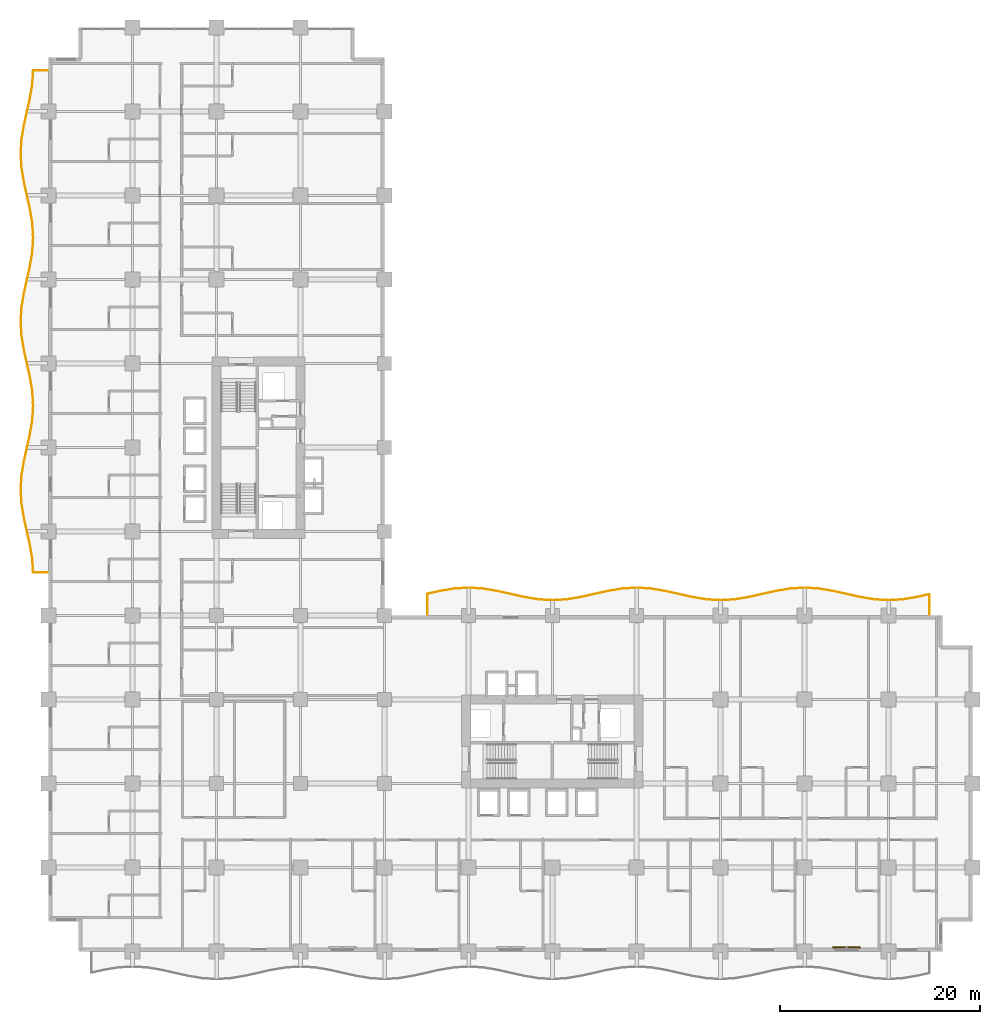
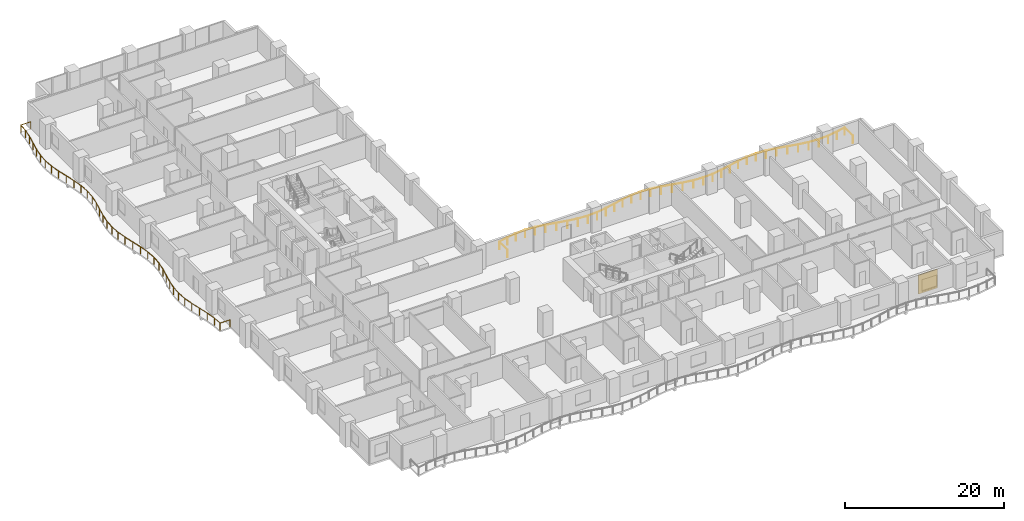
# One storey, part 23 of 23: 2 railings, 1 shading device.
"""IFC4 building model written with IfcOpenShell, lengths in metres."""

from ifc_helpers import new_model, si_unit, direction, frame, origin, origin_2d, place, context, subcontext, project, spatial, rectangle, circle, extrude, material, layer, layer_set, type_object, element, save


model = new_model("IFC4")

# Units and contexts
model_context = context("Model", 3, precision=1e-05, world=origin(), true_north=direction((0.0, 1.0)))
body_context = subcontext(model_context, "Body", "Model", "MODEL_VIEW")
ifc_project = project(units=[si_unit("LENGTHUNIT", "METRE"), si_unit("AREAUNIT", "SQUARE_METRE"), si_unit("VOLUMEUNIT", "CUBIC_METRE"), si_unit("PLANEANGLEUNIT", "RADIAN"), si_unit("MASSUNIT", "GRAM", prefix="KILO")], contexts=[model_context])

# Site, building, storey
site_placement = place(None, origin())
site = spatial("IfcSite", under=ifc_project, at=site_placement, CompositionType="ELEMENT")
building_placement = place(site_placement, origin())
building = spatial("IfcBuilding", under=site, at=building_placement, Name="Koriwani Terraces Tower", CompositionType="ELEMENT")
storey_placement = place(building_placement, frame((0.0, 0.0, 32.0)))
storey = spatial("IfcBuildingStorey", under=building, at=storey_placement, Name="L06", CompositionType="ELEMENT", Elevation=32.0)

# Railings
ifc_material_1 = material(Name="Steel ASTM A572 Grade 50", Category="steel")
railing_type = type_object("IfcRailingType", Name="GUARD_BALUSTRADE_1150", PredefinedType="BALUSTRADE", material=ifc_material_1)
railing_1_placement = place(storey_placement, frame((-0.080078125, 37.8798828125, 0.0)))
element("IfcRailing", 1, at=railing_1_placement, inside=storey, type_object=railing_type, Name="L06 Balcony Perimeter Safety Balustrade (W)", PredefinedType="BALUSTRADE", context=body_context, shape_type="SweptSolid", body=[
    extrude(circle(Radius=0.02392578125, at=origin_2d()), frame((0.0, 0.0, 1.1259765625), z_axis=(-1.0, 0.0, 0.0), x_axis=(0.0, -1.0, 0.0)), (0.0, 0.0, 1.0), 1.444580078125),
    extrude(circle(Radius=0.02392578125, at=origin_2d()), frame((-1.444580078125, 0.0, 1.1259765625), z_axis=(-0.059786303672, 0.998211199042, 0.0), x_axis=(-0.998211199042, -0.059786303672, 0.0)), (0.0, 0.0, 1.0), 1.331298828125),
    extrude(circle(Radius=0.02392578125, at=origin_2d()), frame((-1.524169921875, 1.328857421875, 1.1259765625), z_axis=(-0.161203411159, 0.986921202645, 0.0), x_axis=(-0.986921202645, -0.161203411159, 0.0)), (0.0, 0.0, 1.0), 1.425048828125),
    extrude(circle(Radius=0.02392578125, at=origin_2d()), frame((-1.75390625, 2.7353515625, 1.1259765625), z_axis=(-0.217849413893, 0.975982393728, 0.0), x_axis=(-0.975982393728, -0.217849413893, 0.0)), (0.0, 0.0, 1.0), 2.868896484375),
    extrude(circle(Radius=0.02392578125, at=origin_2d()), frame((-2.37890625, 5.535400390625, 1.1259765625), z_axis=(-0.16131405304, 0.986903124066, 0.0), x_axis=(-0.986903124066, -0.16131405304, 0.0)), (0.0, 0.0, 1.0), 1.412109375),
    extrude(circle(Radius=0.02392578125, at=origin_2d()), frame((-2.606689453125, 6.928955078125, 1.1259765625), z_axis=(-0.059738678687, 0.998214050326, 0.0), x_axis=(-0.998214050326, -0.059738678687, 0.0)), (0.0, 0.0, 1.0), 1.3935546875),
    extrude(circle(Radius=0.02392578125, at=origin_2d()), frame((-2.68994140625, 8.320068359375, 1.1259765625), z_axis=(0.059738678687, 0.998214050326, 0.0), x_axis=(-0.998214050326, 0.059738678687, 0.0)), (0.0, 0.0, 1.0), 1.3935546875),
    extrude(circle(Radius=0.02392578125, at=origin_2d()), frame((-2.606689453125, 9.711181640625, 1.1259765625), z_axis=(0.161286532042, 0.986907622111, 0.0), x_axis=(-0.986907622111, 0.161286532042, 0.0)), (0.0, 0.0, 1.0), 1.412353515625),
    extrude(circle(Radius=0.02392578125, at=origin_2d()), frame((-2.37890625, 11.10498046875, 1.1259765625), z_axis=(0.217849413893, 0.975982393728, 0.0), x_axis=(-0.975982393728, 0.217849413893, 0.0)), (0.0, 0.0, 1.0), 2.868896484375),
    extrude(circle(Radius=0.02392578125, at=origin_2d()), frame((-1.75390625, 13.905029296875, 1.1259765625), z_axis=(0.161230670401, 0.986916749742, 0.0), x_axis=(-0.986916749742, 0.161230670401, 0.0)), (0.0, 0.0, 1.0), 1.4248046875),
    extrude(circle(Radius=0.02392578125, at=origin_2d()), frame((-1.524169921875, 15.311279296875, 1.1259765625), z_axis=(0.059675127152, 0.998217851573, 0.0), x_axis=(-0.998217851573, 0.059675127152, 0.0)), (0.0, 0.0, 1.0), 1.411376953125),
    extrude(circle(Radius=0.02392578125, at=origin_2d()), frame((-1.43994140625, 16.72021484375, 1.1259765625), z_axis=(-0.059685432622, 0.998217235442, 0.0), x_axis=(-0.998217235442, -0.059685432622, 0.0)), (0.0, 0.0, 1.0), 1.4111328125),
    extrude(circle(Radius=0.02392578125, at=origin_2d()), frame((-1.524169921875, 18.12890625, 1.1259765625), z_axis=(-0.161203411159, 0.986921202645, 0.0), x_axis=(-0.986921202645, -0.161203411159, 0.0)), (0.0, 0.0, 1.0), 1.425048828125),
    extrude(circle(Radius=0.02392578125, at=origin_2d()), frame((-1.75390625, 19.535400390625, 1.1259765625), z_axis=(-0.217867508535, 0.97597835464, 0.0), x_axis=(-0.97597835464, -0.217867508535, 0.0)), (0.0, 0.0, 1.0), 2.86865234375),
    extrude(circle(Radius=0.02392578125, at=origin_2d()), frame((-2.37890625, 22.335205078125, 1.1259765625), z_axis=(-0.161286532042, 0.986907622111, 0.0), x_axis=(-0.986907622111, -0.161286532042, 0.0)), (0.0, 0.0, 1.0), 1.412353515625),
    extrude(circle(Radius=0.02392578125, at=origin_2d()), frame((-2.606689453125, 23.72900390625, 1.1259765625), z_axis=(-0.059738678687, 0.998214050326, 0.0), x_axis=(-0.998214050326, -0.059738678687, 0.0)), (0.0, 0.0, 1.0), 1.3935546875),
    extrude(circle(Radius=0.02392578125, at=origin_2d()), frame((-2.68994140625, 25.1201171875, 1.1259765625), z_axis=(0.059738678687, 0.998214050326, 0.0), x_axis=(-0.998214050326, 0.059738678687, 0.0)), (0.0, 0.0, 1.0), 1.3935546875),
    extrude(circle(Radius=0.02392578125, at=origin_2d()), frame((-2.606689453125, 26.51123046875, 1.1259765625), z_axis=(0.161286532042, 0.986907622111, 0.0), x_axis=(-0.986907622111, 0.161286532042, 0.0)), (0.0, 0.0, 1.0), 1.412353515625),
    extrude(circle(Radius=0.02392578125, at=origin_2d()), frame((-2.37890625, 27.905029296875, 1.1259765625), z_axis=(0.217867508535, 0.97597835464, 0.0), x_axis=(-0.97597835464, 0.217867508535, 0.0)), (0.0, 0.0, 1.0), 2.86865234375),
    extrude(circle(Radius=0.02392578125, at=origin_2d()), frame((-1.75390625, 30.704833984375, 1.1259765625), z_axis=(0.161203411159, 0.986921202645, 0.0), x_axis=(-0.986921202645, 0.161203411159, 0.0)), (0.0, 0.0, 1.0), 1.425048828125),
    extrude(circle(Radius=0.02392578125, at=origin_2d()), frame((-1.524169921875, 32.111328125, 1.1259765625), z_axis=(0.059685432622, 0.998217235442, 0.0), x_axis=(-0.998217235442, 0.059685432622, 0.0)), (0.0, 0.0, 1.0), 1.4111328125),
    extrude(circle(Radius=0.02392578125, at=origin_2d()), frame((-1.43994140625, 33.52001953125, 1.1259765625), z_axis=(-0.059675127152, 0.998217851573, 0.0), x_axis=(-0.998217851573, -0.059675127152, 0.0)), (0.0, 0.0, 1.0), 1.411376953125),
    extrude(circle(Radius=0.02392578125, at=origin_2d()), frame((-1.524169921875, 34.928955078125, 1.1259765625), z_axis=(-0.161230670401, 0.986916749742, 0.0), x_axis=(-0.986916749742, -0.161230670401, 0.0)), (0.0, 0.0, 1.0), 1.4248046875),
    extrude(circle(Radius=0.02392578125, at=origin_2d()), frame((-1.75390625, 36.335205078125, 1.1259765625), z_axis=(-0.217849413893, 0.975982393728, 0.0), x_axis=(-0.975982393728, -0.217849413893, 0.0)), (0.0, 0.0, 1.0), 2.868896484375),
    extrude(circle(Radius=0.02392578125, at=origin_2d()), frame((-2.37890625, 39.13525390625, 1.1259765625), z_axis=(-0.161286532042, 0.986907622111, 0.0), x_axis=(-0.986907622111, -0.161286532042, 0.0)), (0.0, 0.0, 1.0), 1.412353515625),
    extrude(circle(Radius=0.02392578125, at=origin_2d()), frame((-2.606689453125, 40.529052734375, 1.1259765625), z_axis=(-0.059738678687, 0.998214050326, 0.0), x_axis=(-0.998214050326, -0.059738678687, 0.0)), (0.0, 0.0, 1.0), 1.3935546875),
    extrude(circle(Radius=0.02392578125, at=origin_2d()), frame((-2.68994140625, 41.920166015625, 1.1259765625), z_axis=(0.059738678687, 0.998214050326, 0.0), x_axis=(-0.998214050326, 0.059738678687, 0.0)), (0.0, 0.0, 1.0), 1.3935546875),
    extrude(circle(Radius=0.02392578125, at=origin_2d()), frame((-2.606689453125, 43.311279296875, 1.1259765625), z_axis=(0.16131405304, 0.986903124066, 0.0), x_axis=(-0.986903124066, 0.16131405304, 0.0)), (0.0, 0.0, 1.0), 1.412109375),
    extrude(circle(Radius=0.02392578125, at=origin_2d()), frame((-2.37890625, 44.704833984375, 1.1259765625), z_axis=(0.217849413893, 0.975982393728, 0.0), x_axis=(-0.975982393728, 0.217849413893, 0.0)), (0.0, 0.0, 1.0), 2.868896484375),
    extrude(circle(Radius=0.02392578125, at=origin_2d()), frame((-1.75390625, 47.5048828125, 1.1259765625), z_axis=(0.161203411159, 0.986921202645, 0.0), x_axis=(-0.986921202645, 0.161203411159, 0.0)), (0.0, 0.0, 1.0), 1.425048828125),
    extrude(circle(Radius=0.02392578125, at=origin_2d()), frame((-1.524169921875, 48.911376953125, 1.1259765625), z_axis=(0.059786303672, 0.998211199042, 0.0), x_axis=(-0.998211199042, 0.059786303672, 0.0)), (0.0, 0.0, 1.0), 1.331298828125),
    extrude(circle(Radius=0.02392578125, at=origin_2d()), frame((-1.444580078125, 50.240234375, 1.1259765625), z_axis=(1.0, 0.0, 0.0), x_axis=(0.0, 1.0, 0.0)), (0.0, 0.0, 1.0), 1.444580078125),
    extrude(circle(Radius=0.02099609375, at=origin_2d()), origin(), (0.0, 0.0, 1.0), 1.101806640625),
    extrude(circle(Radius=0.02099609375, at=origin_2d()), frame((-1.444580078125, 0.0, 0.0)), (0.0, 0.0, 1.0), 1.101806640625),
    extrude(circle(Radius=0.02099609375, at=origin_2d()), frame((-1.524169921875, 1.328857421875, 0.0)), (0.0, 0.0, 1.0), 1.101806640625),
    extrude(circle(Radius=0.02099609375, at=origin_2d()), frame((-1.75390625, 2.7353515625, 0.0)), (0.0, 0.0, 1.0), 1.101806640625),
    extrude(circle(Radius=0.02099609375, at=origin_2d()), frame((-2.06640625, 4.13525390625, 0.0)), (0.0, 0.0, 1.0), 1.101806640625),
    extrude(circle(Radius=0.02099609375, at=origin_2d()), frame((-2.37890625, 5.535400390625, 0.0)), (0.0, 0.0, 1.0), 1.101806640625),
    extrude(circle(Radius=0.02099609375, at=origin_2d()), frame((-2.606689453125, 6.928955078125, 0.0)), (0.0, 0.0, 1.0), 1.101806640625),
    extrude(circle(Radius=0.02099609375, at=origin_2d()), frame((-2.68994140625, 8.320068359375, 0.0)), (0.0, 0.0, 1.0), 1.101806640625),
    extrude(circle(Radius=0.02099609375, at=origin_2d()), frame((-2.606689453125, 9.711181640625, 0.0)), (0.0, 0.0, 1.0), 1.101806640625),
    extrude(circle(Radius=0.02099609375, at=origin_2d()), frame((-2.37890625, 11.10498046875, 0.0)), (0.0, 0.0, 1.0), 1.101806640625),
    extrude(circle(Radius=0.02099609375, at=origin_2d()), frame((-2.06640625, 12.5048828125, 0.0)), (0.0, 0.0, 1.0), 1.101806640625),
    extrude(circle(Radius=0.02099609375, at=origin_2d()), frame((-1.75390625, 13.905029296875, 0.0)), (0.0, 0.0, 1.0), 1.101806640625),
    extrude(circle(Radius=0.02099609375, at=origin_2d()), frame((-1.524169921875, 15.311279296875, 0.0)), (0.0, 0.0, 1.0), 1.101806640625),
    extrude(circle(Radius=0.02099609375, at=origin_2d()), frame((-1.43994140625, 16.72021484375, 0.0)), (0.0, 0.0, 1.0), 1.101806640625),
    extrude(circle(Radius=0.02099609375, at=origin_2d()), frame((-1.524169921875, 18.12890625, 0.0)), (0.0, 0.0, 1.0), 1.101806640625),
    extrude(circle(Radius=0.02099609375, at=origin_2d()), frame((-1.75390625, 19.535400390625, 0.0)), (0.0, 0.0, 1.0), 1.101806640625),
    extrude(circle(Radius=0.02099609375, at=origin_2d()), frame((-2.06640625, 20.935302734375, 0.0)), (0.0, 0.0, 1.0), 1.101806640625),
    extrude(circle(Radius=0.02099609375, at=origin_2d()), frame((-2.37890625, 22.335205078125, 0.0)), (0.0, 0.0, 1.0), 1.101806640625),
    extrude(circle(Radius=0.02099609375, at=origin_2d()), frame((-2.606689453125, 23.72900390625, 0.0)), (0.0, 0.0, 1.0), 1.101806640625),
    extrude(circle(Radius=0.02099609375, at=origin_2d()), frame((-2.68994140625, 25.1201171875, 0.0)), (0.0, 0.0, 1.0), 1.101806640625),
    extrude(circle(Radius=0.02099609375, at=origin_2d()), frame((-2.606689453125, 26.51123046875, 0.0)), (0.0, 0.0, 1.0), 1.101806640625),
    extrude(circle(Radius=0.02099609375, at=origin_2d()), frame((-2.37890625, 27.905029296875, 0.0)), (0.0, 0.0, 1.0), 1.101806640625),
    extrude(circle(Radius=0.02099609375, at=origin_2d()), frame((-2.06640625, 29.304931640625, 0.0)), (0.0, 0.0, 1.0), 1.101806640625),
    extrude(circle(Radius=0.02099609375, at=origin_2d()), frame((-1.75390625, 30.704833984375, 0.0)), (0.0, 0.0, 1.0), 1.101806640625),
    extrude(circle(Radius=0.02099609375, at=origin_2d()), frame((-1.524169921875, 32.111328125, 0.0)), (0.0, 0.0, 1.0), 1.101806640625),
    extrude(circle(Radius=0.02099609375, at=origin_2d()), frame((-1.43994140625, 33.52001953125, 0.0)), (0.0, 0.0, 1.0), 1.101806640625),
    extrude(circle(Radius=0.02099609375, at=origin_2d()), frame((-1.524169921875, 34.928955078125, 0.0)), (0.0, 0.0, 1.0), 1.101806640625),
    extrude(circle(Radius=0.02099609375, at=origin_2d()), frame((-1.75390625, 36.335205078125, 0.0)), (0.0, 0.0, 1.0), 1.101806640625),
    extrude(circle(Radius=0.02099609375, at=origin_2d()), frame((-2.06640625, 37.7353515625, 0.0)), (0.0, 0.0, 1.0), 1.101806640625),
    extrude(circle(Radius=0.02099609375, at=origin_2d()), frame((-2.37890625, 39.13525390625, 0.0)), (0.0, 0.0, 1.0), 1.101806640625),
    extrude(circle(Radius=0.02099609375, at=origin_2d()), frame((-2.606689453125, 40.529052734375, 0.0)), (0.0, 0.0, 1.0), 1.101806640625),
    extrude(circle(Radius=0.02099609375, at=origin_2d()), frame((-2.68994140625, 41.920166015625, 0.0)), (0.0, 0.0, 1.0), 1.101806640625),
    extrude(circle(Radius=0.02099609375, at=origin_2d()), frame((-2.606689453125, 43.311279296875, 0.0)), (0.0, 0.0, 1.0), 1.101806640625),
    extrude(circle(Radius=0.02099609375, at=origin_2d()), frame((-2.37890625, 44.704833984375, 0.0)), (0.0, 0.0, 1.0), 1.101806640625),
    extrude(circle(Radius=0.02099609375, at=origin_2d()), frame((-2.06640625, 46.10498046875, 0.0)), (0.0, 0.0, 1.0), 1.101806640625),
    extrude(circle(Radius=0.02099609375, at=origin_2d()), frame((-1.75390625, 47.5048828125, 0.0)), (0.0, 0.0, 1.0), 1.101806640625),
    extrude(circle(Radius=0.02099609375, at=origin_2d()), frame((-1.524169921875, 48.911376953125, 0.0)), (0.0, 0.0, 1.0), 1.101806640625),
    extrude(circle(Radius=0.02099609375, at=origin_2d()), frame((-1.444580078125, 50.240234375, 0.0)), (0.0, 0.0, 1.0), 1.101806640625),
    extrude(circle(Radius=0.02099609375, at=origin_2d()), frame((0.0, 50.240234375, 0.0)), (0.0, 0.0, 1.0), 1.101806640625),
])
railing_2_placement = place(storey_placement, frame((88.1201171875, 33.679931640625, 0.0)))
element("IfcRailing", 2, at=railing_2_placement, inside=storey, type_object=railing_type, Name="L06 Balcony Perimeter Safety Balustrade (NE)", PredefinedType="BALUSTRADE", context=body_context, shape_type="SweptSolid", body=[
    extrude(circle(Radius=0.02392578125, at=origin_2d()), frame((0.0, 0.0, 1.1259765625), z_axis=(0.0, 1.0, 0.0), x_axis=(-1.0, 0.0, 0.0)), (0.0, 0.0, 1.0), 2.045166015625),
    extrude(circle(Radius=0.02392578125, at=origin_2d()), frame((0.0, 2.045166015625, 1.1259765625), z_axis=(-0.976023513378, -0.217665112806, 0.0), x_axis=(0.217665112806, -0.976023513378, 0.0)), (0.0, 0.0, 1.0), 1.3369140625),
    extrude(circle(Radius=0.02392578125, at=origin_2d()), frame((-1.304931640625, 1.754150390625, 1.1259765625), z_axis=(-0.986921202645, -0.161203411159, 0.0), x_axis=(0.161203411159, -0.986921202645, 0.0)), (0.0, 0.0, 1.0), 1.425048828125),
    extrude(circle(Radius=0.02392578125, at=origin_2d()), frame((-2.71142578125, 1.5244140625, 1.1259765625), z_axis=(-0.998217235442, -0.059685432622, 0.0), x_axis=(0.059685432622, -0.998217235442, 0.0)), (0.0, 0.0, 1.0), 1.4111328125),
    extrude(circle(Radius=0.02392578125, at=origin_2d()), frame((-4.1201171875, 1.440185546875, 1.1259765625), z_axis=(-0.998217235442, 0.059685432622, 0.0), x_axis=(-0.059685432622, -0.998217235442, 0.0)), (0.0, 0.0, 1.0), 1.4111328125),
    extrude(circle(Radius=0.02392578125, at=origin_2d()), frame((-5.52880859375, 1.5244140625, 1.1259765625), z_axis=(-0.986921202645, 0.161203411159, 0.0), x_axis=(-0.161203411159, -0.986921202645, 0.0)), (0.0, 0.0, 1.0), 1.425048828125),
    extrude(circle(Radius=0.02392578125, at=origin_2d()), frame((-6.935302734375, 1.754150390625, 1.1259765625), z_axis=(-0.976000483873, 0.217768352797, 0.0), x_axis=(-0.217768352797, -0.976000483873, 0.0)), (0.0, 0.0, 1.0), 2.868896484375),
    extrude(circle(Radius=0.02392578125, at=origin_2d()), frame((-9.7353515625, 2.37890625, 1.1259765625), z_axis=(-0.986903124066, 0.16131405304, 0.0), x_axis=(-0.16131405304, -0.986903124066, 0.0)), (0.0, 0.0, 1.0), 1.412109375),
    extrude(circle(Radius=0.02392578125, at=origin_2d()), frame((-11.12890625, 2.606689453125, 1.1259765625), z_axis=(-0.998214050326, 0.059738678687, 0.0), x_axis=(-0.059738678687, -0.998214050326, 0.0)), (0.0, 0.0, 1.0), 1.3935546875),
    extrude(circle(Radius=0.02392578125, at=origin_2d()), frame((-12.52001953125, 2.68994140625, 1.1259765625), z_axis=(-0.998214050326, -0.059738678687, 0.0), x_axis=(0.059738678687, -0.998214050326, 0.0)), (0.0, 0.0, 1.0), 1.3935546875),
    extrude(circle(Radius=0.02392578125, at=origin_2d()), frame((-13.9111328125, 2.606689453125, 1.1259765625), z_axis=(-0.986907622111, -0.161286532042, 0.0), x_axis=(0.161286532042, -0.986907622111, 0.0)), (0.0, 0.0, 1.0), 1.412353515625),
    extrude(circle(Radius=0.02392578125, at=origin_2d()), frame((-15.304931640625, 2.37890625, 1.1259765625), z_axis=(-0.976000483873, -0.217768352797, 0.0), x_axis=(0.217768352797, -0.976000483873, 0.0)), (0.0, 0.0, 1.0), 2.868896484375),
    extrude(circle(Radius=0.02392578125, at=origin_2d()), frame((-18.10498046875, 1.754150390625, 1.1259765625), z_axis=(-0.986916749742, -0.161230670401, 0.0), x_axis=(0.161230670401, -0.986916749742, 0.0)), (0.0, 0.0, 1.0), 1.4248046875),
    extrude(circle(Radius=0.02392578125, at=origin_2d()), frame((-19.51123046875, 1.5244140625, 1.1259765625), z_axis=(-0.998217851573, -0.059675127152, 0.0), x_axis=(0.059675127152, -0.998217851573, 0.0)), (0.0, 0.0, 1.0), 1.411376953125),
    extrude(circle(Radius=0.02392578125, at=origin_2d()), frame((-20.920166015625, 1.440185546875, 1.1259765625), z_axis=(-0.998217235442, 0.059685432622, 0.0), x_axis=(-0.059685432622, -0.998217235442, 0.0)), (0.0, 0.0, 1.0), 1.4111328125),
    extrude(circle(Radius=0.02392578125, at=origin_2d()), frame((-22.328857421875, 1.5244140625, 1.1259765625), z_axis=(-0.986921202645, 0.161203411159, 0.0), x_axis=(-0.161203411159, -0.986921202645, 0.0)), (0.0, 0.0, 1.0), 1.425048828125),
    extrude(circle(Radius=0.02392578125, at=origin_2d()), frame((-23.7353515625, 1.754150390625, 1.1259765625), z_axis=(-0.976000483873, 0.217768352797, 0.0), x_axis=(-0.217768352797, -0.976000483873, 0.0)), (0.0, 0.0, 1.0), 2.868896484375),
    extrude(circle(Radius=0.02392578125, at=origin_2d()), frame((-26.535400390625, 2.37890625, 1.1259765625), z_axis=(-0.986903124066, 0.16131405304, 0.0), x_axis=(-0.16131405304, -0.986903124066, 0.0)), (0.0, 0.0, 1.0), 1.412109375),
    extrude(circle(Radius=0.02392578125, at=origin_2d()), frame((-27.928955078125, 2.606689453125, 1.1259765625), z_axis=(-0.998214050326, 0.059738678687, 0.0), x_axis=(-0.059738678687, -0.998214050326, 0.0)), (0.0, 0.0, 1.0), 1.3935546875),
    extrude(circle(Radius=0.02392578125, at=origin_2d()), frame((-29.320068359375, 2.68994140625, 1.1259765625), z_axis=(-0.998214050326, -0.059738678687, 0.0), x_axis=(0.059738678687, -0.998214050326, 0.0)), (0.0, 0.0, 1.0), 1.3935546875),
    extrude(circle(Radius=0.02392578125, at=origin_2d()), frame((-30.711181640625, 2.606689453125, 1.1259765625), z_axis=(-0.986907622111, -0.161286532042, 0.0), x_axis=(0.161286532042, -0.986907622111, 0.0)), (0.0, 0.0, 1.0), 1.412353515625),
    extrude(circle(Radius=0.02392578125, at=origin_2d()), frame((-32.10498046875, 2.37890625, 1.1259765625), z_axis=(-0.976000483873, -0.217768352797, 0.0), x_axis=(0.217768352797, -0.976000483873, 0.0)), (0.0, 0.0, 1.0), 2.868896484375),
    extrude(circle(Radius=0.02392578125, at=origin_2d()), frame((-34.905029296875, 1.754150390625, 1.1259765625), z_axis=(-0.986916749742, -0.161230670401, 0.0), x_axis=(0.161230670401, -0.986916749742, 0.0)), (0.0, 0.0, 1.0), 1.4248046875),
    extrude(circle(Radius=0.02392578125, at=origin_2d()), frame((-36.311279296875, 1.5244140625, 1.1259765625), z_axis=(-0.998217851573, -0.059675127152, 0.0), x_axis=(0.059675127152, -0.998217851573, 0.0)), (0.0, 0.0, 1.0), 1.411376953125),
    extrude(circle(Radius=0.02392578125, at=origin_2d()), frame((-37.72021484375, 1.440185546875, 1.1259765625), z_axis=(-0.998217235442, 0.059685432622, 0.0), x_axis=(-0.059685432622, -0.998217235442, 0.0)), (0.0, 0.0, 1.0), 1.4111328125),
    extrude(circle(Radius=0.02392578125, at=origin_2d()), frame((-39.12890625, 1.5244140625, 1.1259765625), z_axis=(-0.986921202645, 0.161203411159, 0.0), x_axis=(-0.161203411159, -0.986921202645, 0.0)), (0.0, 0.0, 1.0), 1.425048828125),
    extrude(circle(Radius=0.02392578125, at=origin_2d()), frame((-40.535400390625, 1.754150390625, 1.1259765625), z_axis=(-0.975996447715, 0.217786441376, 0.0), x_axis=(-0.217786441376, -0.975996447715, 0.0)), (0.0, 0.0, 1.0), 2.86865234375),
    extrude(circle(Radius=0.02392578125, at=origin_2d()), frame((-43.335205078125, 2.37890625, 1.1259765625), z_axis=(-0.986907622111, 0.161286532042, 0.0), x_axis=(-0.161286532042, -0.986907622111, 0.0)), (0.0, 0.0, 1.0), 1.412353515625),
    extrude(circle(Radius=0.02392578125, at=origin_2d()), frame((-44.72900390625, 2.606689453125, 1.1259765625), z_axis=(-0.998214050326, 0.059738678687, 0.0), x_axis=(-0.059738678687, -0.998214050326, 0.0)), (0.0, 0.0, 1.0), 1.3935546875),
    extrude(circle(Radius=0.02392578125, at=origin_2d()), frame((-46.1201171875, 2.68994140625, 1.1259765625), z_axis=(-0.998214050326, -0.059738678687, 0.0), x_axis=(0.059738678687, -0.998214050326, 0.0)), (0.0, 0.0, 1.0), 1.3935546875),
    extrude(circle(Radius=0.02392578125, at=origin_2d()), frame((-47.51123046875, 2.606689453125, 1.1259765625), z_axis=(-0.986907622111, -0.161286532042, 0.0), x_axis=(0.161286532042, -0.986907622111, 0.0)), (0.0, 0.0, 1.0), 1.412353515625),
    extrude(circle(Radius=0.02392578125, at=origin_2d()), frame((-48.905029296875, 2.37890625, 1.1259765625), z_axis=(-0.976010374822, -0.217724018519, 0.0), x_axis=(0.217724018519, -0.976010374822, 0.0)), (0.0, 0.0, 1.0), 1.367919921875),
    extrude(circle(Radius=0.02392578125, at=origin_2d()), frame((-50.240234375, 2.0810546875, 1.1259765625), z_axis=(0.0, -1.0, 0.0), x_axis=(1.0, 0.0, 0.0)), (0.0, 0.0, 1.0), 2.0810546875),
    extrude(circle(Radius=0.02099609375, at=origin_2d()), origin(), (0.0, 0.0, 1.0), 1.101806640625),
    extrude(circle(Radius=0.02099609375, at=origin_2d()), frame((0.0, 2.045166015625, 0.0)), (0.0, 0.0, 1.0), 1.101806640625),
    extrude(circle(Radius=0.02099609375, at=origin_2d()), frame((-1.304931640625, 1.754150390625, 0.0)), (0.0, 0.0, 1.0), 1.101806640625),
    extrude(circle(Radius=0.02099609375, at=origin_2d()), frame((-2.71142578125, 1.5244140625, 0.0)), (0.0, 0.0, 1.0), 1.101806640625),
    extrude(circle(Radius=0.02099609375, at=origin_2d()), frame((-4.1201171875, 1.440185546875, 0.0)), (0.0, 0.0, 1.0), 1.101806640625),
    extrude(circle(Radius=0.02099609375, at=origin_2d()), frame((-5.52880859375, 1.5244140625, 0.0)), (0.0, 0.0, 1.0), 1.101806640625),
    extrude(circle(Radius=0.02099609375, at=origin_2d()), frame((-6.935302734375, 1.754150390625, 0.0)), (0.0, 0.0, 1.0), 1.101806640625),
    extrude(circle(Radius=0.02099609375, at=origin_2d()), frame((-8.33544921875, 2.06640625, 0.0)), (0.0, 0.0, 1.0), 1.101806640625),
    extrude(circle(Radius=0.02099609375, at=origin_2d()), frame((-9.7353515625, 2.37890625, 0.0)), (0.0, 0.0, 1.0), 1.101806640625),
    extrude(circle(Radius=0.02099609375, at=origin_2d()), frame((-11.12890625, 2.606689453125, 0.0)), (0.0, 0.0, 1.0), 1.101806640625),
    extrude(circle(Radius=0.02099609375, at=origin_2d()), frame((-12.52001953125, 2.68994140625, 0.0)), (0.0, 0.0, 1.0), 1.101806640625),
    extrude(circle(Radius=0.02099609375, at=origin_2d()), frame((-13.9111328125, 2.606689453125, 0.0)), (0.0, 0.0, 1.0), 1.101806640625),
    extrude(circle(Radius=0.02099609375, at=origin_2d()), frame((-15.304931640625, 2.37890625, 0.0)), (0.0, 0.0, 1.0), 1.101806640625),
    extrude(circle(Radius=0.02099609375, at=origin_2d()), frame((-16.705078125, 2.06640625, 0.0)), (0.0, 0.0, 1.0), 1.101806640625),
    extrude(circle(Radius=0.02099609375, at=origin_2d()), frame((-18.10498046875, 1.754150390625, 0.0)), (0.0, 0.0, 1.0), 1.101806640625),
    extrude(circle(Radius=0.02099609375, at=origin_2d()), frame((-19.51123046875, 1.5244140625, 0.0)), (0.0, 0.0, 1.0), 1.101806640625),
    extrude(circle(Radius=0.02099609375, at=origin_2d()), frame((-20.920166015625, 1.440185546875, 0.0)), (0.0, 0.0, 1.0), 1.101806640625),
    extrude(circle(Radius=0.02099609375, at=origin_2d()), frame((-22.328857421875, 1.5244140625, 0.0)), (0.0, 0.0, 1.0), 1.101806640625),
    extrude(circle(Radius=0.02099609375, at=origin_2d()), frame((-23.7353515625, 1.754150390625, 0.0)), (0.0, 0.0, 1.0), 1.101806640625),
    extrude(circle(Radius=0.02099609375, at=origin_2d()), frame((-25.13525390625, 2.06640625, 0.0)), (0.0, 0.0, 1.0), 1.101806640625),
    extrude(circle(Radius=0.02099609375, at=origin_2d()), frame((-26.535400390625, 2.37890625, 0.0)), (0.0, 0.0, 1.0), 1.101806640625),
    extrude(circle(Radius=0.02099609375, at=origin_2d()), frame((-27.928955078125, 2.606689453125, 0.0)), (0.0, 0.0, 1.0), 1.101806640625),
    extrude(circle(Radius=0.02099609375, at=origin_2d()), frame((-29.320068359375, 2.68994140625, 0.0)), (0.0, 0.0, 1.0), 1.101806640625),
    extrude(circle(Radius=0.02099609375, at=origin_2d()), frame((-30.711181640625, 2.606689453125, 0.0)), (0.0, 0.0, 1.0), 1.101806640625),
    extrude(circle(Radius=0.02099609375, at=origin_2d()), frame((-32.10498046875, 2.37890625, 0.0)), (0.0, 0.0, 1.0), 1.101806640625),
    extrude(circle(Radius=0.02099609375, at=origin_2d()), frame((-33.5048828125, 2.06640625, 0.0)), (0.0, 0.0, 1.0), 1.101806640625),
    extrude(circle(Radius=0.02099609375, at=origin_2d()), frame((-34.905029296875, 1.754150390625, 0.0)), (0.0, 0.0, 1.0), 1.101806640625),
    extrude(circle(Radius=0.02099609375, at=origin_2d()), frame((-36.311279296875, 1.5244140625, 0.0)), (0.0, 0.0, 1.0), 1.101806640625),
    extrude(circle(Radius=0.02099609375, at=origin_2d()), frame((-37.72021484375, 1.440185546875, 0.0)), (0.0, 0.0, 1.0), 1.101806640625),
    extrude(circle(Radius=0.02099609375, at=origin_2d()), frame((-39.12890625, 1.5244140625, 0.0)), (0.0, 0.0, 1.0), 1.101806640625),
    extrude(circle(Radius=0.02099609375, at=origin_2d()), frame((-40.535400390625, 1.754150390625, 0.0)), (0.0, 0.0, 1.0), 1.101806640625),
    extrude(circle(Radius=0.02099609375, at=origin_2d()), frame((-41.935302734375, 2.06640625, 0.0)), (0.0, 0.0, 1.0), 1.101806640625),
    extrude(circle(Radius=0.02099609375, at=origin_2d()), frame((-43.335205078125, 2.37890625, 0.0)), (0.0, 0.0, 1.0), 1.101806640625),
    extrude(circle(Radius=0.02099609375, at=origin_2d()), frame((-44.72900390625, 2.606689453125, 0.0)), (0.0, 0.0, 1.0), 1.101806640625),
    extrude(circle(Radius=0.02099609375, at=origin_2d()), frame((-46.1201171875, 2.68994140625, 0.0)), (0.0, 0.0, 1.0), 1.101806640625),
    extrude(circle(Radius=0.02099609375, at=origin_2d()), frame((-47.51123046875, 2.606689453125, 0.0)), (0.0, 0.0, 1.0), 1.101806640625),
    extrude(circle(Radius=0.02099609375, at=origin_2d()), frame((-48.905029296875, 2.37890625, 0.0)), (0.0, 0.0, 1.0), 1.101806640625),
    extrude(circle(Radius=0.02099609375, at=origin_2d()), frame((-50.240234375, 2.0810546875, 0.0)), (0.0, 0.0, 1.0), 1.101806640625),
    extrude(circle(Radius=0.02099609375, at=origin_2d()), frame((-50.240234375, 0.0, 0.0)), (0.0, 0.0, 1.0), 1.101806640625),
])

# Shading device
ifc_material_2 = material(Name="Extruded Terracotta Clay", Category="masonry")
ifc_layer = layer(ifc_material_2, 0.1201171875, Name="Extruded Terracotta Clay")
ifc_layer_set = layer_set([ifc_layer], Name="Extruded Terracotta Clay")
shading_device_type = type_object("IfcShadingDeviceType", Name="TERRACOTTA_BAGUETTE_SCREEN_2800", PredefinedType="USERDEFINED", material=ifc_layer_set)
shading_device_placement = place(storey_placement, frame((79.800048828125, 0.405029296875, 0.324951171875), z_axis=(0.0, 0.0, 1.0), x_axis=(-1.0, 0.0, 0.0)))
element("IfcShadingDevice", 3, at=shading_device_placement, inside=storey, type_object=shading_device_type, Name="L06 Extruded Terracotta Baguette Screen (S-27)", ObjectType="BAGUETTE", PredefinedType="USERDEFINED", context=body_context, shape_type="SweptSolid", body=[
    extrude(rectangle(XDim=2.760009765625, YDim=0.1201171875, at=origin_2d()), origin(), (0.0, 0.0, 1.0), 2.89990234375),
])

save(model, "model.ifc")
